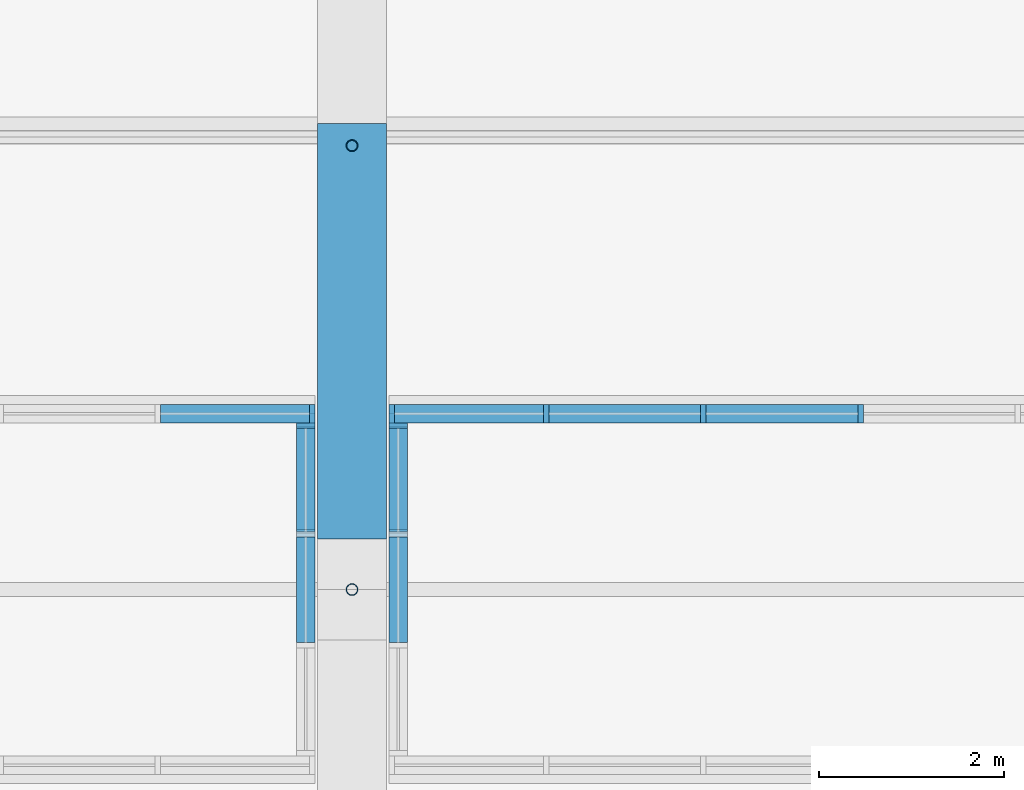
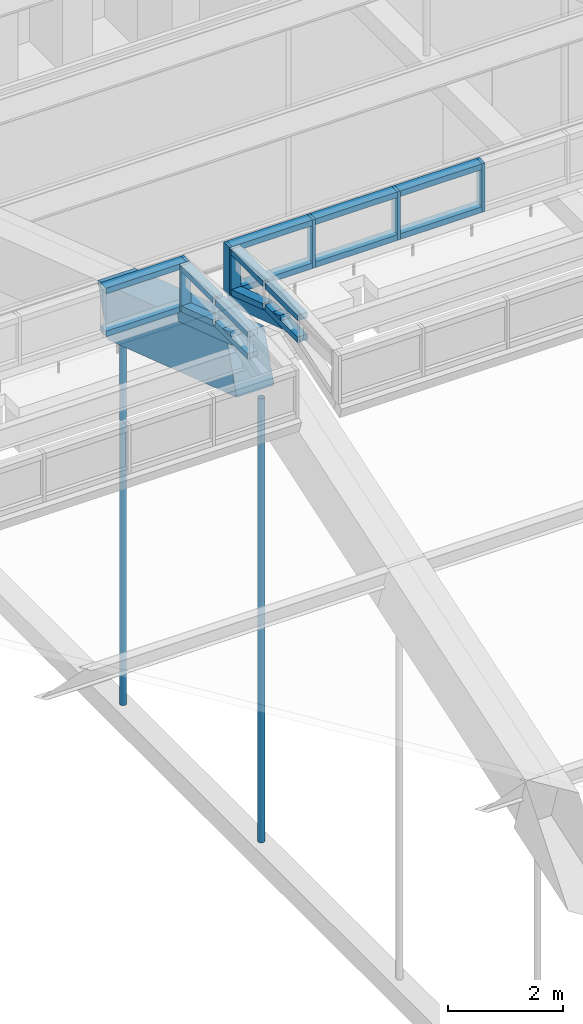
# One storey, part 39 of 149: 27 members, 1 beam, 4 elements without a shape of their own.
"""IFC4 building model written with IfcOpenShell, lengths in metres."""

from ifc_helpers import new_model, si_unit, direction, frame, origin, origin_2d, place, context, subcontext, project, spatial, rectangle, hollow_circle, extrude, material, material_profile, profile_set, type_object, element, aggregate, save


model = new_model("IFC4")

# Units and contexts
model_context = context("Model", 3, precision=1e-05, world=origin(), true_north=direction((0.0, 1.0)))
body_context = subcontext(model_context, "Body", "Model", "MODEL_VIEW")
ifc_project = project(units=[si_unit("LENGTHUNIT", "METRE"), si_unit("AREAUNIT", "SQUARE_METRE"), si_unit("VOLUMEUNIT", "CUBIC_METRE"), si_unit("PLANEANGLEUNIT", "RADIAN"), si_unit("MASSUNIT", "GRAM", prefix="KILO")], contexts=[model_context])

# Site, building, storey
site_placement = place(None, origin())
site = spatial("IfcSite", under=ifc_project, at=site_placement, CompositionType="ELEMENT")
building_placement = place(site_placement, origin())
building = spatial("IfcBuilding", under=site, at=building_placement, Name="Alderwick Market Hall", CompositionType="ELEMENT")
storey_placement = place(building_placement, frame((0.0, 0.0, 9.60009765625)))
storey = spatial("IfcBuildingStorey", under=building, at=storey_placement, Name="L01", CompositionType="ELEMENT", Elevation=9.60009765625)

# Beam
ifc_material_1 = material(Name="Concrete 5000 psi (f'c 35 MPa)", Category="concrete")
ifc_material_profile_1 = material_profile(ifc_material_1, rectangle(XDim=0.75, YDim=1.10009765625, at=origin_2d()), Name="RC 750x1100")
ifc_profile_set_1 = profile_set([ifc_material_profile_1], Name="Concrete 5000 psi (f'c 35 MPa)")
beam_type = type_object("IfcBeamType", Name="R Arch Rib Crown 750x1100", PredefinedType="BEAM", material=ifc_profile_set_1)
beam_placement = place(storey_placement, frame((79.199951171875, 79.573974609375, 16.2861328125), z_axis=(0.0, 0.948672979153, -0.316258721025), x_axis=(-1.0, 0.0, 0.0)))
element("IfcBeam", 1, at=beam_placement, inside=storey, type_object=beam_type, Name="Arch rib 3 chord 7", PredefinedType="BEAM", context=body_context, shape_type="SweptSolid", body=[
    extrude(rectangle(XDim=0.75, YDim=1.10009765625, at=origin_2d()), origin(), (0.0, 0.0, 1.0), 4.732177734375),
])

# Curtain wall, member
ifc_material_2 = material(Name="Aluminium", Category="aluminium")
curtain_wall_type = type_object("IfcCurtainWallType", Name="R Curtain Wall Frame", PredefinedType="NOTDEFINED", material=ifc_material_2)
curtain_wall_1_placement = place(storey_placement, origin())
curtain_wall_1 = element("IfcCurtainWall", 2, at=curtain_wall_1_placement, inside=storey, type_object=curtain_wall_type, Name="Curtain wall LCW N2", PredefinedType="NOTDEFINED")
ifc_material_profile_2 = material_profile(ifc_material_2, rectangle(XDim=0.199951171875, YDim=0.06005859375, at=origin_2d()), Name="AL 60x200")
ifc_profile_set_2 = profile_set([ifc_material_profile_2], Name="Aluminium")
member_type_1 = type_object("IfcMemberType", Name="R CW Mullion 60x200", PredefinedType="MULLION", material=ifc_profile_set_2)
member_1_placement = place(storey_placement, frame((78.77001953125, 81.10009765625, 16.670166015625), z_axis=(0.0, 0.0, 1.0), x_axis=(0.0, 1.0, 0.0)))
member_1 = element("IfcMember", 3, at=member_1_placement, type_object=member_type_1, Name="LCW N2 mullion 9", PredefinedType="MULLION", context=body_context, shape_type="SweptSolid", body=[
    extrude(rectangle(XDim=0.199951171875, YDim=0.06005859375, at=origin_2d()), origin(), (0.0, 0.0, 1.0), 1.02978515625),
])

curtain_wall_2_placement = place(storey_placement, origin())
curtain_wall_2 = element("IfcCurtainWall", 4, at=curtain_wall_2_placement, inside=storey, type_object=curtain_wall_type, Name="Curtain wall LCW E2", PredefinedType="NOTDEFINED")
member_2_placement = place(storey_placement, frame((78.699951171875, 80.969970703125, 16.713623046875), z_axis=(0.0, 0.0, 1.0), x_axis=(1.0, 0.0, 0.0)))
member_2 = element("IfcMember", 5, at=member_2_placement, type_object=member_type_1, Name="LCW E2 mullion 4", PredefinedType="MULLION", context=body_context, shape_type="SweptSolid", body=[
    extrude(rectangle(XDim=0.199951171875, YDim=0.06005859375, at=origin_2d()), origin(), (0.0, 0.0, 1.0), 0.986328125),
])

# Curtain wall, members
curtain_wall_3_placement = place(storey_placement, origin())
curtain_wall_3 = element("IfcCurtainWall", 6, at=curtain_wall_3_placement, inside=storey, type_object=curtain_wall_type, Name="Curtain wall LCW N3", PredefinedType="NOTDEFINED")
member_3_placement = place(storey_placement, frame((79.6298828125, 81.10009765625, 16.670166015625), z_axis=(0.0, 0.0, 1.0), x_axis=(0.0, 1.0, 0.0)))
member_3 = element("IfcMember", 7, at=member_3_placement, type_object=member_type_1, Name="LCW N3 mullion 1", PredefinedType="MULLION", context=body_context, shape_type="SweptSolid", body=[
    extrude(rectangle(XDim=0.199951171875, YDim=0.06005859375, at=origin_2d()), origin(), (0.0, 0.0, 1.0), 1.02978515625),
])
member_4_placement = place(storey_placement, frame((81.300048828125, 81.10009765625, 16.670166015625), z_axis=(0.0, 0.0, 1.0), x_axis=(0.0, 1.0, 0.0)))
member_4 = element("IfcMember", 8, at=member_4_placement, type_object=member_type_1, Name="LCW N3 mullion 2", PredefinedType="MULLION", context=body_context, shape_type="SweptSolid", body=[
    extrude(rectangle(XDim=0.199951171875, YDim=0.06005859375, at=origin_2d()), origin(), (0.0, 0.0, 1.0), 1.02978515625),
])
member_5_placement = place(storey_placement, frame((83.0, 81.10009765625, 16.670166015625), z_axis=(0.0, 0.0, 1.0), x_axis=(0.0, 1.0, 0.0)))
member_5 = element("IfcMember", 9, at=member_5_placement, type_object=member_type_1, Name="LCW N3 mullion 3", PredefinedType="MULLION", context=body_context, shape_type="SweptSolid", body=[
    extrude(rectangle(XDim=0.199951171875, YDim=0.06005859375, at=origin_2d()), origin(), (0.0, 0.0, 1.0), 1.02978515625),
])
member_6_placement = place(storey_placement, frame((84.699951171875, 81.10009765625, 16.670166015625), z_axis=(0.0, 0.0, 1.0), x_axis=(0.0, 1.0, 0.0)))
member_6 = element("IfcMember", 10, at=member_6_placement, type_object=member_type_1, Name="LCW N3 mullion 4", PredefinedType="MULLION", context=body_context, shape_type="SweptSolid", body=[
    extrude(rectangle(XDim=0.199951171875, YDim=0.06005859375, at=origin_2d()), origin(), (0.0, 0.0, 1.0), 1.02978515625),
])

# Curtain wall, member
curtain_wall_4_placement = place(storey_placement, origin())
curtain_wall_4 = element("IfcCurtainWall", 11, at=curtain_wall_4_placement, inside=storey, type_object=curtain_wall_type, Name="Curtain wall LCW W3", PredefinedType="NOTDEFINED")
member_7_placement = place(storey_placement, frame((79.699951171875, 80.969970703125, 16.713623046875), z_axis=(0.0, 0.0, 1.0), x_axis=(1.0, 0.0, 0.0)))
member_7 = element("IfcMember", 12, at=member_7_placement, type_object=member_type_1, Name="LCW W3 mullion 4", PredefinedType="MULLION", context=body_context, shape_type="SweptSolid", body=[
    extrude(rectangle(XDim=0.199951171875, YDim=0.06005859375, at=origin_2d()), origin(), (0.0, 0.0, 1.0), 0.986328125),
])

# Member
ifc_material_profile_3 = material_profile(ifc_material_2, rectangle(XDim=0.199951171875, YDim=0.1201171875, at=origin_2d()), Name="AL 120x200")
ifc_profile_set_3 = profile_set([ifc_material_profile_3], Name="Aluminium")
member_type_2 = type_object("IfcMemberType", Name="R CW Transom 120x200", PredefinedType="USERDEFINED", material=ifc_profile_set_3)
member_8_placement = place(storey_placement, frame((77.1298828125, 81.10009765625, 16.730224609375), z_axis=(1.0, 0.0, 0.0), x_axis=(0.0, 1.0, 0.0)))
member_8 = element("IfcMember", 13, at=member_8_placement, type_object=member_type_2, Name="LCW N2 sill transom 8", ObjectType="TRANSOM", PredefinedType="USERDEFINED", context=body_context, shape_type="SweptSolid", body=[
    extrude(rectangle(XDim=0.199951171875, YDim=0.1201171875, at=origin_2d()), origin(), (0.0, 0.0, 1.0), 1.610107421875),
])

member_9_placement = place(storey_placement, frame((77.1298828125, 81.10009765625, 17.639892578125), z_axis=(1.0, 0.0, 0.0), x_axis=(0.0, 1.0, 0.0)))
member_9 = element("IfcMember", 14, at=member_9_placement, type_object=member_type_2, Name="LCW N2 head transom 8", ObjectType="TRANSOM", PredefinedType="USERDEFINED", context=body_context, shape_type="SweptSolid", body=[
    extrude(rectangle(XDim=0.199951171875, YDim=0.1201171875, at=origin_2d()), origin(), (0.0, 0.0, 1.0), 1.610107421875),
])

aggregate(curtain_wall_1, [member_1, member_8, member_9])

member_10_placement = place(storey_placement, frame((78.699951171875, 78.6298828125, 17.173583984375), z_axis=(0.0, 1.0, 0.0), x_axis=(-1.0, 0.0, 0.0)))
member_10 = element("IfcMember", 15, at=member_10_placement, type_object=member_type_2, Name="LCW E2 sill transom 2", ObjectType="TRANSOM", PredefinedType="USERDEFINED", context=body_context, shape_type="SweptSolid", body=[
    extrude(rectangle(XDim=0.199951171875, YDim=0.1201171875, at=origin_2d()), origin(), (0.0, 0.0, 1.0), 1.14013671875),
])

member_11_placement = place(storey_placement, frame((78.699951171875, 78.6298828125, 17.639892578125), z_axis=(0.0, 1.0, 0.0), x_axis=(-1.0, 0.0, 0.0)))
member_11 = element("IfcMember", 16, at=member_11_placement, type_object=member_type_2, Name="LCW E2 head transom 2", ObjectType="TRANSOM", PredefinedType="USERDEFINED", context=body_context, shape_type="SweptSolid", body=[
    extrude(rectangle(XDim=0.199951171875, YDim=0.1201171875, at=origin_2d()), origin(), (0.0, 0.0, 1.0), 1.14013671875),
])

member_12_placement = place(storey_placement, frame((78.699951171875, 79.830078125, 17.153564453125), z_axis=(0.0, 0.948641554568, -0.316352968923), x_axis=(-1.0, 0.0, 0.0)))
member_12 = element("IfcMember", 17, at=member_12_placement, type_object=member_type_2, Name="LCW E2 sill transom 3", ObjectType="TRANSOM", PredefinedType="USERDEFINED", context=body_context, shape_type="SweptSolid", body=[
    extrude(rectangle(XDim=0.199951171875, YDim=0.1201171875, at=origin_2d()), origin(), (0.0, 0.0, 1.0), 1.169921875),
])

member_13_placement = place(storey_placement, frame((78.699951171875, 79.830078125, 17.639892578125), z_axis=(0.0, 1.0, 0.0), x_axis=(-1.0, 0.0, 0.0)))
member_13 = element("IfcMember", 18, at=member_13_placement, type_object=member_type_2, Name="LCW E2 head transom 3", ObjectType="TRANSOM", PredefinedType="USERDEFINED", context=body_context, shape_type="SweptSolid", body=[
    extrude(rectangle(XDim=0.199951171875, YDim=0.1201171875, at=origin_2d()), origin(), (0.0, 0.0, 1.0), 1.10986328125),
])

member_14_placement = place(storey_placement, frame((79.659912109375, 81.10009765625, 16.730224609375), z_axis=(1.0, 0.0, 0.0), x_axis=(0.0, 1.0, 0.0)))
member_14 = element("IfcMember", 19, at=member_14_placement, type_object=member_type_2, Name="LCW N3 sill transom 1", ObjectType="TRANSOM", PredefinedType="USERDEFINED", context=body_context, shape_type="SweptSolid", body=[
    extrude(rectangle(XDim=0.199951171875, YDim=0.1201171875, at=origin_2d()), origin(), (0.0, 0.0, 1.0), 1.610107421875),
])

member_15_placement = place(storey_placement, frame((79.659912109375, 81.10009765625, 17.639892578125), z_axis=(1.0, 0.0, 0.0), x_axis=(0.0, 1.0, 0.0)))
member_15 = element("IfcMember", 20, at=member_15_placement, type_object=member_type_2, Name="LCW N3 head transom 1", ObjectType="TRANSOM", PredefinedType="USERDEFINED", context=body_context, shape_type="SweptSolid", body=[
    extrude(rectangle(XDim=0.199951171875, YDim=0.1201171875, at=origin_2d()), origin(), (0.0, 0.0, 1.0), 1.610107421875),
])

member_16_placement = place(storey_placement, frame((81.330078125, 81.10009765625, 16.730224609375), z_axis=(1.0, 0.0, 0.0), x_axis=(0.0, 1.0, 0.0)))
member_16 = element("IfcMember", 21, at=member_16_placement, type_object=member_type_2, Name="LCW N3 sill transom 2", ObjectType="TRANSOM", PredefinedType="USERDEFINED", context=body_context, shape_type="SweptSolid", body=[
    extrude(rectangle(XDim=0.199951171875, YDim=0.1201171875, at=origin_2d()), origin(), (0.0, 0.0, 1.0), 1.639892578125),
])

member_17_placement = place(storey_placement, frame((81.330078125, 81.10009765625, 17.639892578125), z_axis=(1.0, 0.0, 0.0), x_axis=(0.0, 1.0, 0.0)))
member_17 = element("IfcMember", 22, at=member_17_placement, type_object=member_type_2, Name="LCW N3 head transom 2", ObjectType="TRANSOM", PredefinedType="USERDEFINED", context=body_context, shape_type="SweptSolid", body=[
    extrude(rectangle(XDim=0.199951171875, YDim=0.1201171875, at=origin_2d()), origin(), (0.0, 0.0, 1.0), 1.639892578125),
])

member_18_placement = place(storey_placement, frame((83.030029296875, 81.10009765625, 16.730224609375), z_axis=(1.0, 0.0, 0.0), x_axis=(0.0, 1.0, 0.0)))
member_18 = element("IfcMember", 23, at=member_18_placement, type_object=member_type_2, Name="LCW N3 sill transom 3", ObjectType="TRANSOM", PredefinedType="USERDEFINED", context=body_context, shape_type="SweptSolid", body=[
    extrude(rectangle(XDim=0.199951171875, YDim=0.1201171875, at=origin_2d()), origin(), (0.0, 0.0, 1.0), 1.639892578125),
])

member_19_placement = place(storey_placement, frame((83.030029296875, 81.10009765625, 17.639892578125), z_axis=(1.0, 0.0, 0.0), x_axis=(0.0, 1.0, 0.0)))
member_19 = element("IfcMember", 24, at=member_19_placement, type_object=member_type_2, Name="LCW N3 head transom 3", ObjectType="TRANSOM", PredefinedType="USERDEFINED", context=body_context, shape_type="SweptSolid", body=[
    extrude(rectangle(XDim=0.199951171875, YDim=0.1201171875, at=origin_2d()), origin(), (0.0, 0.0, 1.0), 1.639892578125),
])

aggregate(curtain_wall_3, [member_3, member_4, member_5, member_6, member_14, member_15, member_16, member_17, member_18, member_19])

member_20_placement = place(storey_placement, frame((79.699951171875, 78.6298828125, 17.173583984375), z_axis=(0.0, 1.0, 0.0), x_axis=(-1.0, 0.0, 0.0)))
member_20 = element("IfcMember", 25, at=member_20_placement, type_object=member_type_2, Name="LCW W3 sill transom 2", ObjectType="TRANSOM", PredefinedType="USERDEFINED", context=body_context, shape_type="SweptSolid", body=[
    extrude(rectangle(XDim=0.199951171875, YDim=0.1201171875, at=origin_2d()), origin(), (0.0, 0.0, 1.0), 1.14013671875),
])

member_21_placement = place(storey_placement, frame((79.699951171875, 78.6298828125, 17.639892578125), z_axis=(0.0, 1.0, 0.0), x_axis=(-1.0, 0.0, 0.0)))
member_21 = element("IfcMember", 26, at=member_21_placement, type_object=member_type_2, Name="LCW W3 head transom 2", ObjectType="TRANSOM", PredefinedType="USERDEFINED", context=body_context, shape_type="SweptSolid", body=[
    extrude(rectangle(XDim=0.199951171875, YDim=0.1201171875, at=origin_2d()), origin(), (0.0, 0.0, 1.0), 1.14013671875),
])

member_22_placement = place(storey_placement, frame((79.699951171875, 79.830078125, 17.153564453125), z_axis=(0.0, 0.948641554568, -0.316352968923), x_axis=(-1.0, 0.0, 0.0)))
member_22 = element("IfcMember", 27, at=member_22_placement, type_object=member_type_2, Name="LCW W3 sill transom 3", ObjectType="TRANSOM", PredefinedType="USERDEFINED", context=body_context, shape_type="SweptSolid", body=[
    extrude(rectangle(XDim=0.199951171875, YDim=0.1201171875, at=origin_2d()), origin(), (0.0, 0.0, 1.0), 1.169921875),
])

member_23_placement = place(storey_placement, frame((79.699951171875, 79.830078125, 17.639892578125), z_axis=(0.0, 1.0, 0.0), x_axis=(-1.0, 0.0, 0.0)))
member_23 = element("IfcMember", 28, at=member_23_placement, type_object=member_type_2, Name="LCW W3 head transom 3", ObjectType="TRANSOM", PredefinedType="USERDEFINED", context=body_context, shape_type="SweptSolid", body=[
    extrude(rectangle(XDim=0.199951171875, YDim=0.1201171875, at=origin_2d()), origin(), (0.0, 0.0, 1.0), 1.10986328125),
])

# Members
ifc_material_3 = material(Name="Steel ASTM A500 Grade C", Category="steel")
ifc_material_profile_4 = material_profile(ifc_material_3, hollow_circle(Radius=0.0634765625, WallThickness=0.005859375, at=origin_2d()), Name="HSS5.000x0.250")
ifc_profile_set_4 = profile_set([ifc_material_profile_4], Name="Steel ASTM A500 Grade C")
member_type_3 = type_object("IfcMemberType", Name="R Hanger HSS5.000x0.250", PredefinedType="POST", material=ifc_profile_set_4)
member_24_placement = place(storey_placement, frame((79.199951171875, 79.199951171875, 6.35302734375), z_axis=(0.0, 0.0, 1.0), x_axis=(1.0, 0.0, 0.0)))
element("IfcMember", 29, at=member_24_placement, inside=storey, type_object=member_type_3, Name="Arch hanger 3.6", PredefinedType="POST", context=body_context, shape_type="SweptSolid", body=[
    extrude(hollow_circle(Radius=0.0634765625, WallThickness=0.005859375, at=origin_2d()), origin(), (0.0, 0.0, 1.0), 9.411376953125),
])
member_25_placement = place(storey_placement, frame((79.199951171875, 84.0, 6.35302734375), z_axis=(0.0, 0.0, 1.0), x_axis=(1.0, 0.0, 0.0)))
element("IfcMember", 30, at=member_25_placement, inside=storey, type_object=member_type_3, Name="Arch hanger 3.7", PredefinedType="POST", context=body_context, shape_type="SweptSolid", body=[
    extrude(hollow_circle(Radius=0.0634765625, WallThickness=0.005859375, at=origin_2d()), origin(), (0.0, 0.0, 1.0), 7.856689453125),
])

# Member
ifc_material_4 = material(Name="Steel ASTM A572 Grade 50", Category="steel")
ifc_material_profile_5 = material_profile(ifc_material_4, rectangle(XDim=0.199951171875, YDim=0.25, at=origin_2d()), Name="Steel plate curb 200x250")
ifc_profile_set_5 = profile_set([ifc_material_profile_5], Name="Steel ASTM A572 Grade 50")
member_type_4 = type_object("IfcMemberType", Name="R Lantern Curb 200x250", PredefinedType="MEMBER", material=ifc_profile_set_5)
member_26_placement = place(storey_placement, frame((78.699951171875, 79.199951171875, 17.20654296875), z_axis=(0.0, 0.948695716428, -0.316190508447), x_axis=(-1.0, 0.0, 0.0)))
member_26 = element("IfcMember", 31, at=member_26_placement, type_object=member_type_4, Name="Lantern end curb E2.2", PredefinedType="MEMBER", context=body_context, shape_type="SweptSolid", body=[
    extrude(rectangle(XDim=0.199951171875, YDim=0.25, at=origin_2d()), origin(), (0.0, 0.0, 1.0), 1.9658203125),
])

aggregate(curtain_wall_2, [member_2, member_10, member_11, member_12, member_13, member_26])

member_27_placement = place(storey_placement, frame((79.699951171875, 79.199951171875, 17.20654296875), z_axis=(0.0, 0.948695716428, -0.316190508447), x_axis=(-1.0, 0.0, 0.0)))
member_27 = element("IfcMember", 32, at=member_27_placement, type_object=member_type_4, Name="Lantern end curb W3.2", PredefinedType="MEMBER", context=body_context, shape_type="SweptSolid", body=[
    extrude(rectangle(XDim=0.199951171875, YDim=0.25, at=origin_2d()), origin(), (0.0, 0.0, 1.0), 1.9658203125),
])

aggregate(curtain_wall_4, [member_7, member_20, member_21, member_22, member_23, member_27])

save(model, "model.ifc")
